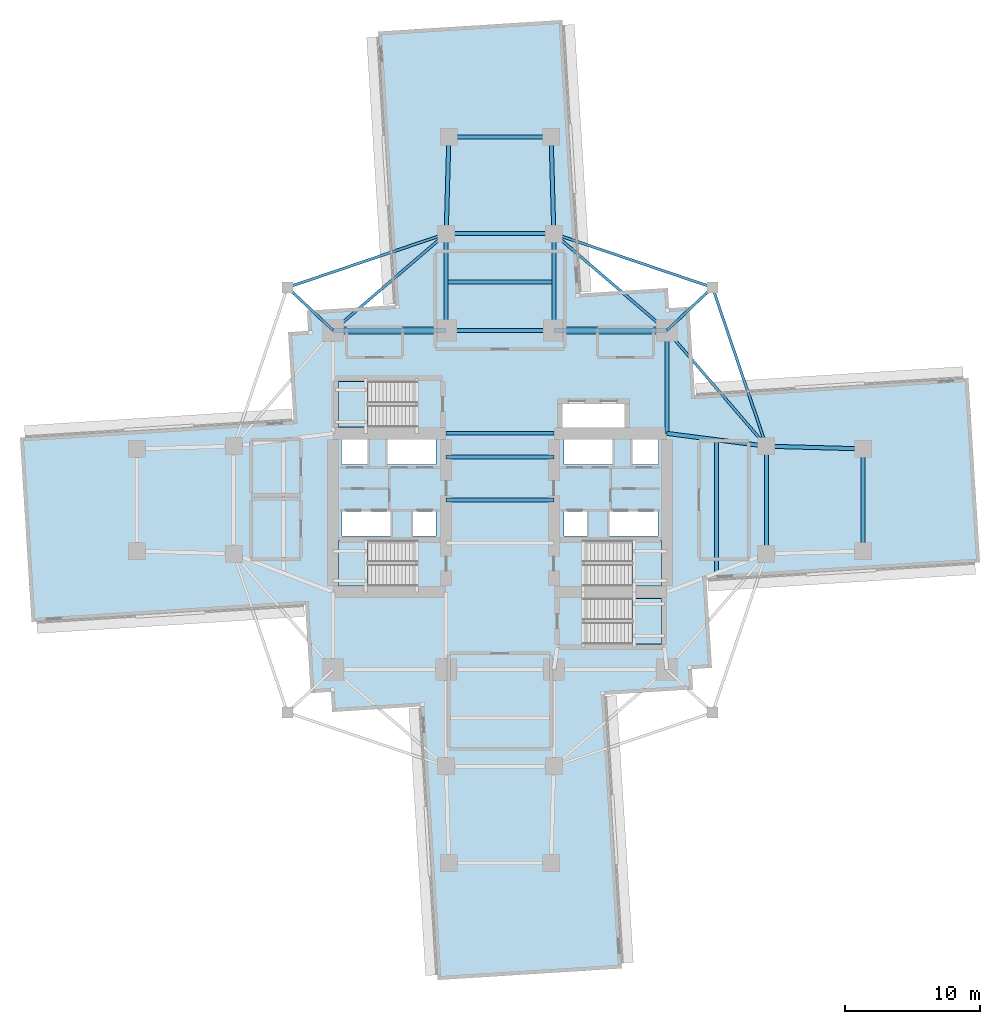
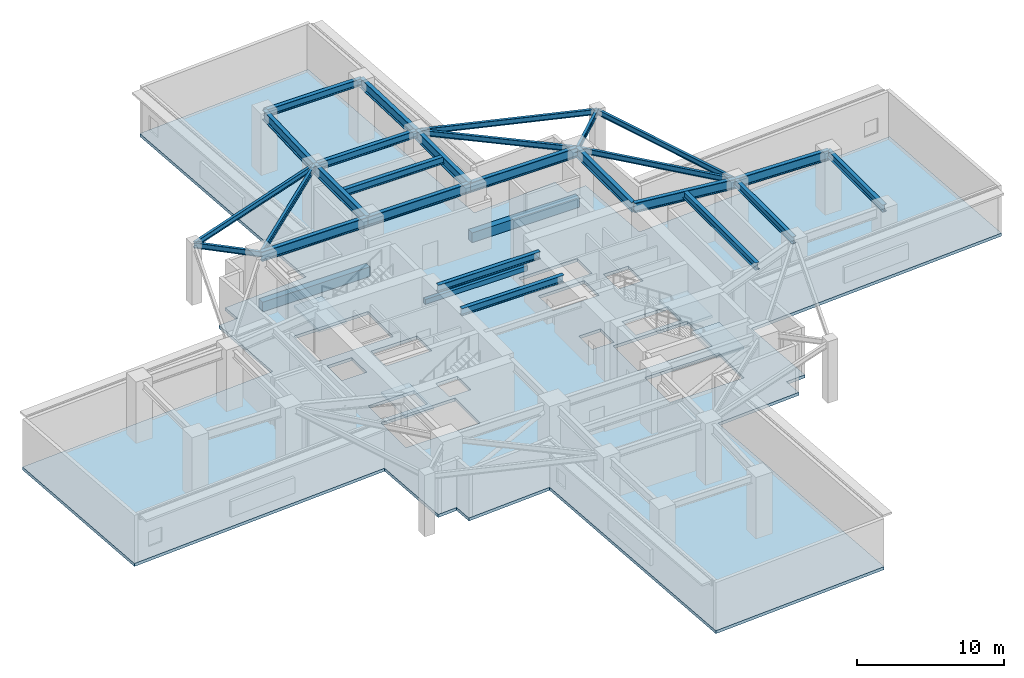
# One storey, part 2 of 11: 29 beams, 5 slabs, 4 elements without a shape of their own.
"""IFC4 building model written with IfcOpenShell, lengths in metres."""

from ifc_helpers import new_model, si_unit, direction, frame, origin, origin_2d, place, context, subcontext, project, spatial, polyline, rectangle, i_section, outline, extrude, material, layer, layer_set, material_profile, profile_set, type_object, element, aggregate, save


model = new_model("IFC4")

# Units and contexts
model_context = context("Model", 3, precision=1e-05, world=origin(), true_north=direction((0.0, 1.0)))
body_context = subcontext(model_context, "Body", "Model", "MODEL_VIEW")
ifc_project = project(units=[si_unit("LENGTHUNIT", "METRE"), si_unit("AREAUNIT", "SQUARE_METRE"), si_unit("VOLUMEUNIT", "CUBIC_METRE"), si_unit("PLANEANGLEUNIT", "RADIAN"), si_unit("MASSUNIT", "GRAM", prefix="KILO")], contexts=[model_context])

# Site, building, storey
site_placement = place(None, origin())
site = spatial("IfcSite", under=ifc_project, at=site_placement, CompositionType="ELEMENT")
building_placement = place(site_placement, origin())
building = spatial("IfcBuilding", under=site, at=building_placement, Name="Qingluan Cross Belvedere", CompositionType="ELEMENT")
storey_placement = place(building_placement, frame((0.0, 0.0, 47.10009765625)))
storey = spatial("IfcBuildingStorey", under=building, at=storey_placement, Name="L12", CompositionType="ELEMENT", Elevation=47.10009765625)

# Beams
ifc_material_1 = material(Name="Concrete C45", Category="concrete")
ifc_material_profile_1 = material_profile(ifc_material_1, rectangle(XDim=0.25, YDim=0.39990234375, at=origin_2d()), Name="RC250x400")
ifc_profile_set_1 = profile_set([ifc_material_profile_1], Name="Concrete C45")
beam_type_1 = type_object("IfcBeamType", Name="RC_Lintel_RC250x400", PredefinedType="LINTEL", material=ifc_profile_set_1)
beam_1_placement = place(storey_placement, frame((-4.0, 4.949951171875, 2.449951171875), z_axis=(1.0, 0.0, 0.0), x_axis=(0.0, 1.0, 0.0)))
element("IfcBeam", 1, at=beam_1_placement, inside=storey, type_object=beam_type_1, Name="Core coupling lintel beam L12", PredefinedType="LINTEL", context=body_context, shape_type="SweptSolid", body=[
    extrude(rectangle(XDim=0.25, YDim=0.39990234375, at=origin_2d()), origin(), (0.0, 0.0, 1.0), 8.0),
])
ifc_material_2 = material(Name="Concrete C45", Category="concrete")
ifc_material_profile_2 = material_profile(ifc_material_2, rectangle(XDim=0.5, YDim=0.800048828125, at=origin_2d()), Name="RC500x800")
ifc_profile_set_2 = profile_set([ifc_material_profile_2], Name="Concrete C45")
beam_type_2 = type_object("IfcBeamType", Name="RC_Spandrel_RC500x800", PredefinedType="SPANDREL", material=ifc_profile_set_2)
for number, where, z_axis, x_axis, name in (
    (2, (-12.39990234375, 12.60009765625, 0.39990234375), (1.0, 0.0, 0.0), (0.0, 1.0, 0.0), "Perimeter RC spandrel beam L12-NW"),
    (3, (4.0, 12.60009765625, 0.39990234375), (1.0, 0.0, 0.0), (0.0, 1.0, 0.0), "Perimeter RC spandrel beam L12-NE"),
):
    element("IfcBeam", number, at=place(storey_placement, frame(where, z_axis=z_axis, x_axis=x_axis)), inside=storey, type_object=beam_type_2, Name=name, PredefinedType="SPANDREL", context=body_context, shape_type="SweptSolid", body=[
        extrude(rectangle(XDim=0.5, YDim=0.800048828125, at=origin_2d()), origin(), (0.0, 0.0, 1.0), 8.39990234375),
    ])
ifc_material_3 = material(Name="Steel Q420GJB", Category="steel")
ifc_material_profile_3 = material_profile(ifc_material_3, i_section(OverallWidth=0.300048828125, OverallDepth=0.587890625, WebThickness=0.011962890625, FlangeThickness=0.02001953125, FilletRadius=0.02392578125, at=origin_2d()), Name="HM588x300x12x20")
ifc_profile_set_3 = profile_set([ifc_material_profile_3], Name="Steel Q420GJB")
beam_type_3 = type_object("IfcBeamType", Name="Steel_Beam_HM588x300x12x20", PredefinedType="BEAM", material=ifc_profile_set_3)
for number, where, z_axis, x_axis, name in (
    (4, (-4.0, 0.0, 4.60595703125), (1.0, 0.0, 0.0), (0.0, 1.0, 0.0), "Hall beam L12-CH2"),
    (5, (-4.0, 3.199951171875, 4.60595703125), (1.0, 0.0, 0.0), (0.0, 1.0, 0.0), "Hall beam L12-CH3"),
    (6, (19.800048828125, -4.0, 4.60595703125), (0.0, 1.0, 0.0), (-1.0, 0.0, 0.0), "Arm E tie L12"),
):
    element("IfcBeam", number, at=place(storey_placement, frame(where, z_axis=z_axis, x_axis=x_axis)), inside=storey, type_object=beam_type_3, Name=name, PredefinedType="BEAM", context=body_context, shape_type="SweptSolid", body=[
        extrude(i_section(OverallWidth=0.300048828125, OverallDepth=0.587890625, WebThickness=0.011962890625, FlangeThickness=0.02001953125, FilletRadius=0.02392578125, at=origin_2d()), origin(), (0.0, 0.0, 1.0), 8.0),
    ])
beam_2_placement = place(storey_placement, frame((16.10009765625, -5.425048828125, 4.60595703125), z_axis=(0.0, 1.0, 0.0), x_axis=(-1.0, 0.0, 0.0)))
element("IfcBeam", 7, at=beam_2_placement, inside=storey, type_object=beam_type_3, Name="Arm E beam L12", PredefinedType="BEAM", context=body_context, shape_type="SweptSolid", body=[
    extrude(i_section(OverallWidth=0.300048828125, OverallDepth=0.587890625, WebThickness=0.011962890625, FlangeThickness=0.02001953125, FilletRadius=0.02392578125, at=origin_2d()), origin(), (0.0, 0.0, 1.0), 9.900146484375),
])
beam_3_placement = place(storey_placement, frame((27.0, -3.800048828125, 4.60595703125), z_axis=(0.0, 1.0, 0.0), x_axis=(-1.0, 0.0, 0.0)))
element("IfcBeam", 8, at=beam_3_placement, inside=storey, type_object=beam_type_3, Name="Arm E tip transverse beam L12", PredefinedType="BEAM", context=body_context, shape_type="SweptSolid", body=[
    extrude(i_section(OverallWidth=0.300048828125, OverallDepth=0.587890625, WebThickness=0.011962890625, FlangeThickness=0.02001953125, FilletRadius=0.02392578125, at=origin_2d()), origin(), (0.0, 0.0, 1.0), 7.60009765625),
])
for number, where, z_axis, x_axis, name in (
    (9, (-4.0, 19.800048828125, 4.60595703125), (1.0, 0.0, 0.0), (0.0, 1.0, 0.0), "Arm N tie L12"),
    (10, (-4.0, 16.199951171875, 4.60595703125), (1.0, 0.0, 0.0), (0.0, 1.0, 0.0), "Arm N beam L12"),
):
    element("IfcBeam", number, at=place(storey_placement, frame(where, z_axis=z_axis, x_axis=x_axis)), inside=storey, type_object=beam_type_3, Name=name, PredefinedType="BEAM", context=body_context, shape_type="SweptSolid", body=[
        extrude(i_section(OverallWidth=0.300048828125, OverallDepth=0.587890625, WebThickness=0.011962890625, FlangeThickness=0.02001953125, FilletRadius=0.02392578125, at=origin_2d()), origin(), (0.0, 0.0, 1.0), 8.0),
    ])
beam_4_placement = place(storey_placement, frame((-3.800048828125, 27.0, 4.60595703125), z_axis=(1.0, 0.0, 0.0), x_axis=(0.0, 1.0, 0.0)))
element("IfcBeam", 11, at=beam_4_placement, inside=storey, type_object=beam_type_3, Name="Arm N tip transverse beam L12", PredefinedType="BEAM", context=body_context, shape_type="SweptSolid", body=[
    extrude(i_section(OverallWidth=0.300048828125, OverallDepth=0.587890625, WebThickness=0.011962890625, FlangeThickness=0.02001953125, FilletRadius=0.02392578125, at=origin_2d()), origin(), (0.0, 0.0, 1.0), 7.60009765625),
])
ifc_material_4 = material(Name="Steel Q420GJB", Category="steel")
ifc_material_profile_4 = material_profile(ifc_material_4, i_section(OverallWidth=0.199951171875, OverallDepth=0.449951171875, WebThickness=0.009033203125, FlangeThickness=0.013916015625, FilletRadius=0.01611328125, at=origin_2d()), Name="HN450x200x9x14")
ifc_profile_set_4 = profile_set([ifc_material_profile_4], Name="Steel Q420GJB")
beam_type_4 = type_object("IfcBeamType", Name="Steel_Beam_HN450x200x9x14", PredefinedType="JOIST", material=ifc_profile_set_4)
beam_5_placement = place(storey_placement, frame((12.39990234375, 12.60009765625, 4.6748046875), z_axis=(0.728219948308, 0.685343495546, 0.0), x_axis=(-0.685343495546, 0.728219948308, 0.0)))
element("IfcBeam", 12, at=beam_5_placement, inside=storey, type_object=beam_type_4, Name="Corner beam 1 L12-RNE", PredefinedType="JOIST", context=body_context, shape_type="SweptSolid", body=[
    extrude(i_section(OverallWidth=0.199951171875, OverallDepth=0.449951171875, WebThickness=0.009033203125, FlangeThickness=0.013916015625, FilletRadius=0.01611328125, at=origin_2d()), origin(), (0.0, 0.0, 1.0), 4.669189453125),
])
for number, where, z_axis, x_axis, name in (
    (13, (15.800048828125, 15.800048828125, 4.6748046875), (-0.947066283324, 0.321038089628, 0.0), (-0.321038089628, -0.947066283324, 0.0), "Corner beam 2 L12-RNE"),
    (14, (15.800048828125, 15.800048828125, 4.6748046875), (0.321038089628, -0.947066283324, 0.0), (0.947066283324, 0.321038089628, 0.0), "Corner beam 3 L12-RNE"),
):
    element("IfcBeam", number, at=place(storey_placement, frame(where, z_axis=z_axis, x_axis=x_axis)), inside=storey, type_object=beam_type_4, Name=name, PredefinedType="JOIST", context=body_context, shape_type="SweptSolid", body=[
        extrude(i_section(OverallWidth=0.199951171875, OverallDepth=0.449951171875, WebThickness=0.009033203125, FlangeThickness=0.013916015625, FilletRadius=0.01611328125, at=origin_2d()), origin(), (0.0, 0.0, 1.0), 12.45947265625),
    ])
beam_6_placement = place(storey_placement, frame((12.39990234375, 12.60009765625, 4.6748046875), z_axis=(0.652245077546, -0.75800815221, 0.0), x_axis=(0.75800815221, 0.652245077546, 0.0)))
element("IfcBeam", 15, at=beam_6_placement, inside=storey, type_object=beam_type_4, Name="Corner beam 4 L12-RNE", PredefinedType="JOIST", context=body_context, shape_type="SweptSolid", body=[
    extrude(i_section(OverallWidth=0.199951171875, OverallDepth=0.449951171875, WebThickness=0.009033203125, FlangeThickness=0.013916015625, FilletRadius=0.01611328125, at=origin_2d()), origin(), (0.0, 0.0, 1.0), 11.345703125),
])
beam_7_placement = place(storey_placement, frame((12.39990234375, 12.60009765625, 4.6748046875), z_axis=(-0.759255044656, 0.650793190779, 0.0), x_axis=(-0.650793190779, -0.759255044656, 0.0)))
element("IfcBeam", 16, at=beam_7_placement, inside=storey, type_object=beam_type_4, Name="Corner beam 5 L12-RNE", PredefinedType="JOIST", context=body_context, shape_type="SweptSolid", body=[
    extrude(i_section(OverallWidth=0.199951171875, OverallDepth=0.449951171875, WebThickness=0.009033203125, FlangeThickness=0.013916015625, FilletRadius=0.01611328125, at=origin_2d()), origin(), (0.0, 0.0, 1.0), 11.063232421875),
])
beam_8_placement = place(storey_placement, frame((-12.39990234375, 12.60009765625, 4.6748046875), z_axis=(-0.728219948308, 0.685343495546, 0.0), x_axis=(-0.685343495546, -0.728219948308, 0.0)))
element("IfcBeam", 17, at=beam_8_placement, inside=storey, type_object=beam_type_4, Name="Corner beam 1 L12-RNW", PredefinedType="JOIST", context=body_context, shape_type="SweptSolid", body=[
    extrude(i_section(OverallWidth=0.199951171875, OverallDepth=0.449951171875, WebThickness=0.009033203125, FlangeThickness=0.013916015625, FilletRadius=0.01611328125, at=origin_2d()), origin(), (0.0, 0.0, 1.0), 4.669189453125),
])
beam_9_placement = place(storey_placement, frame((-15.800048828125, 15.800048828125, 4.6748046875), z_axis=(0.947066283324, 0.321038089628, 0.0), x_axis=(-0.321038089628, 0.947066283324, 0.0)))
element("IfcBeam", 18, at=beam_9_placement, inside=storey, type_object=beam_type_4, Name="Corner beam 2 L12-RNW", PredefinedType="JOIST", context=body_context, shape_type="SweptSolid", body=[
    extrude(i_section(OverallWidth=0.199951171875, OverallDepth=0.449951171875, WebThickness=0.009033203125, FlangeThickness=0.013916015625, FilletRadius=0.01611328125, at=origin_2d()), origin(), (0.0, 0.0, 1.0), 12.45947265625),
])
beam_10_placement = place(storey_placement, frame((-12.39990234375, 12.60009765625, 4.6748046875), z_axis=(0.759255044656, 0.650793190779, 0.0), x_axis=(-0.650793190779, 0.759255044656, 0.0)))
element("IfcBeam", 19, at=beam_10_placement, inside=storey, type_object=beam_type_4, Name="Corner beam 5 L12-RNW", PredefinedType="JOIST", context=body_context, shape_type="SweptSolid", body=[
    extrude(i_section(OverallWidth=0.199951171875, OverallDepth=0.449951171875, WebThickness=0.009033203125, FlangeThickness=0.013916015625, FilletRadius=0.01611328125, at=origin_2d()), origin(), (0.0, 0.0, 1.0), 11.063232421875),
])
ifc_material_5 = material(Name="Steel Q420GJB", Category="steel")
ifc_material_profile_5 = material_profile(ifc_material_5, i_section(OverallWidth=0.305908203125, OverallDepth=0.81396484375, WebThickness=0.02099609375, FlangeThickness=0.0400390625, FilletRadius=0.030029296875, at=origin_2d()), Name="HEM800")
ifc_profile_set_5 = profile_set([ifc_material_profile_5], Name="Steel Q420GJB")
beam_type_5 = type_object("IfcBeamType", Name="Steel_Girder_HEM800", PredefinedType="USERDEFINED", material=ifc_profile_set_5)
beam_11_placement = place(storey_placement, frame((-12.39990234375, 12.60009765625, 4.492919921875), z_axis=(1.0, 0.0, 0.0), x_axis=(0.0, 1.0, 0.0)))
element("IfcBeam", 20, at=beam_11_placement, inside=storey, type_object=beam_type_5, Name="Hub girder L12-HG-N1", ObjectType="GIRDER", PredefinedType="USERDEFINED", context=body_context, shape_type="SweptSolid", body=[
    extrude(i_section(OverallWidth=0.305908203125, OverallDepth=0.81396484375, WebThickness=0.02099609375, FlangeThickness=0.0400390625, FilletRadius=0.030029296875, at=origin_2d()), origin(), (0.0, 0.0, 1.0), 8.39990234375),
])
beam_12_placement = place(storey_placement, frame((-4.0, 12.60009765625, 4.492919921875), z_axis=(1.0, 0.0, 0.0), x_axis=(0.0, 1.0, 0.0)))
element("IfcBeam", 21, at=beam_12_placement, inside=storey, type_object=beam_type_5, Name="Hub girder L12-HG-N2", ObjectType="GIRDER", PredefinedType="USERDEFINED", context=body_context, shape_type="SweptSolid", body=[
    extrude(i_section(OverallWidth=0.305908203125, OverallDepth=0.81396484375, WebThickness=0.02099609375, FlangeThickness=0.0400390625, FilletRadius=0.030029296875, at=origin_2d()), origin(), (0.0, 0.0, 1.0), 8.0),
])
beam_13_placement = place(storey_placement, frame((4.0, 12.60009765625, 4.492919921875), z_axis=(1.0, 0.0, 0.0), x_axis=(0.0, 1.0, 0.0)))
element("IfcBeam", 22, at=beam_13_placement, inside=storey, type_object=beam_type_5, Name="Hub girder L12-HG-N3", ObjectType="GIRDER", PredefinedType="USERDEFINED", context=body_context, shape_type="SweptSolid", body=[
    extrude(i_section(OverallWidth=0.305908203125, OverallDepth=0.81396484375, WebThickness=0.02099609375, FlangeThickness=0.0400390625, FilletRadius=0.030029296875, at=origin_2d()), origin(), (0.0, 0.0, 1.0), 8.39990234375),
])
beam_14_placement = place(storey_placement, frame((12.39990234375, 4.949951171875, 4.492919921875), z_axis=(0.0, 1.0, 0.0), x_axis=(-1.0, 0.0, 0.0)))
element("IfcBeam", 23, at=beam_14_placement, inside=storey, type_object=beam_type_5, Name="Hub girder L12-HG-E2", ObjectType="GIRDER", PredefinedType="USERDEFINED", context=body_context, shape_type="SweptSolid", body=[
    extrude(i_section(OverallWidth=0.305908203125, OverallDepth=0.81396484375, WebThickness=0.02099609375, FlangeThickness=0.0400390625, FilletRadius=0.030029296875, at=origin_2d()), origin(), (0.0, 0.0, 1.0), 7.650146484375),
])
beam_15_placement = place(storey_placement, frame((12.39990234375, 4.949951171875, 4.492919921875), z_axis=(0.991861120628, -0.12732445714, 0.0), x_axis=(0.12732445714, 0.991861120628, 0.0)))
element("IfcBeam", 24, at=beam_15_placement, inside=storey, type_object=beam_type_5, Name="Arm E radial girder B L12", ObjectType="GIRDER", PredefinedType="USERDEFINED", context=body_context, shape_type="SweptSolid", body=[
    extrude(i_section(OverallWidth=0.305908203125, OverallDepth=0.81396484375, WebThickness=0.02099609375, FlangeThickness=0.0400390625, FilletRadius=0.030029296875, at=origin_2d()), origin(), (0.0, 0.0, 1.0), 7.4609375),
])
beam_16_placement = place(storey_placement, frame((19.800048828125, 4.0, 4.492919921875), z_axis=(0.999614603568, -0.027760481514, 0.0), x_axis=(0.027760481514, 0.999614603568, 0.0)))
element("IfcBeam", 25, at=beam_16_placement, inside=storey, type_object=beam_type_5, Name="Arm E outer radial girder B L12", ObjectType="GIRDER", PredefinedType="USERDEFINED", context=body_context, shape_type="SweptSolid", body=[
    extrude(i_section(OverallWidth=0.305908203125, OverallDepth=0.81396484375, WebThickness=0.02099609375, FlangeThickness=0.0400390625, FilletRadius=0.030029296875, at=origin_2d()), origin(), (0.0, 0.0, 1.0), 7.20263671875),
])
for number, where, z_axis, x_axis, name in (
    (26, (-4.0, 12.60009765625, 4.492919921875), (0.0, 1.0, 0.0), (-1.0, 0.0, 0.0), "Arm N radial girder A L12"),
    (27, (4.0, 12.60009765625, 4.492919921875), (0.0, 1.0, 0.0), (-1.0, 0.0, 0.0), "Arm N radial girder B L12"),
):
    element("IfcBeam", number, at=place(storey_placement, frame(where, z_axis=z_axis, x_axis=x_axis)), inside=storey, type_object=beam_type_5, Name=name, ObjectType="GIRDER", PredefinedType="USERDEFINED", context=body_context, shape_type="SweptSolid", body=[
        extrude(i_section(OverallWidth=0.305908203125, OverallDepth=0.81396484375, WebThickness=0.02099609375, FlangeThickness=0.0400390625, FilletRadius=0.030029296875, at=origin_2d()), origin(), (0.0, 0.0, 1.0), 7.199951171875),
    ])
for number, where, z_axis, x_axis, name in (
    (28, (-4.0, 19.800048828125, 4.492919921875), (0.027760481514, 0.999614603568, 0.0), (-0.999614603568, 0.027760481514, 0.0), "Arm N outer radial girder A L12"),
    (29, (4.0, 19.800048828125, 4.492919921875), (-0.027760481514, 0.999614603568, 0.0), (-0.999614603568, -0.027760481514, 0.0), "Arm N outer radial girder B L12"),
):
    element("IfcBeam", number, at=place(storey_placement, frame(where, z_axis=z_axis, x_axis=x_axis)), inside=storey, type_object=beam_type_5, Name=name, ObjectType="GIRDER", PredefinedType="USERDEFINED", context=body_context, shape_type="SweptSolid", body=[
        extrude(i_section(OverallWidth=0.305908203125, OverallDepth=0.81396484375, WebThickness=0.02099609375, FlangeThickness=0.0400390625, FilletRadius=0.030029296875, at=origin_2d()), origin(), (0.0, 0.0, 1.0), 7.20263671875),
    ])

# Slab
ifc_material_6 = material(Name="Concrete C40", Category="concrete")
ifc_layer_1 = layer(ifc_material_6, 0.25, Name="FloorSlab_250")
ifc_layer_set_1 = layer_set([ifc_layer_1], Name="Concrete C40")
slab_type_1 = type_object("IfcSlabType", Name="FloorSlab_250", PredefinedType="FLOOR", material=ifc_layer_set_1)
slab_1_placement = place(storey_placement, frame((0.0, 0.0, -0.25)))
element("IfcSlab", 30, at=slab_1_placement, inside=storey, type_object=slab_type_1, Name="Structural floor slab L12", PredefinedType="FLOOR", context=body_context, shape_type="SweptSolid", body=[
    extrude(outline(polyline([(9.064208984375, -34.819580078125), (7.78466796875, -14.479736328125), (14.3515625, -14.066650390625), (14.25732421875, -12.569580078125), (15.75439453125, -12.475341796875), (15.34130859375, -5.908447265625), (35.680908203125, -4.628662109375), (34.819580078125, 9.064208984375), (14.479736328125, 7.78466796875), (14.066650390625, 14.3515625), (12.569580078125, 14.25732421875), (12.475341796875, 15.75439453125), (5.908447265625, 15.34130859375), (4.628662109375, 35.680908203125), (-9.064208984375, 34.819580078125), (-7.78466796875, 14.479736328125), (-14.3515625, 14.066650390625), (-14.25732421875, 12.569580078125), (-15.75439453125, 12.475341796875), (-15.34130859375, 5.908447265625), (-35.680908203125, 4.628662109375), (-34.819580078125, -9.064208984375), (-14.479736328125, -7.78466796875), (-14.066650390625, -14.3515625), (-12.569580078125, -14.25732421875), (-12.475341796875, -15.75439453125), (-5.908447265625, -15.34130859375), (-4.628662109375, -35.680908203125), (9.064208984375, -34.819580078125)]), holes=[polyline([(-12.0, -3.0), (-6.179931640625, -3.0), (-6.179931640625, -6.39990234375), (-12.0, -6.39990234375), (-12.0, -3.0)]), polyline([(6.179931640625, -3.0), (12.0, -3.0), (12.0, -6.39990234375), (6.179931640625, -6.39990234375), (6.179931640625, -3.0)]), polyline([(-12.0, 8.820068359375), (-6.179931640625, 8.820068359375), (-6.179931640625, 5.419921875), (-12.0, 5.419921875), (-12.0, 8.820068359375)]), polyline([(6.179931640625, -7.320068359375), (12.0, -7.320068359375), (12.0, -10.719970703125), (6.179931640625, -10.719970703125), (6.179931640625, -7.320068359375)]), polyline([(-11.800048828125, 4.64990234375), (-9.85009765625, 4.64990234375), (-9.85009765625, 2.64990234375), (-11.800048828125, 2.64990234375), (-11.800048828125, 4.64990234375)]), polyline([(-8.35009765625, 4.64990234375), (-4.75, 4.64990234375), (-4.75, 2.64990234375), (-8.35009765625, 2.64990234375), (-8.35009765625, 4.64990234375)]), polyline([(4.75, 4.64990234375), (8.35009765625, 4.64990234375), (8.35009765625, 2.64990234375), (4.75, 2.64990234375), (4.75, 4.64990234375)]), polyline([(9.85009765625, 4.64990234375), (11.800048828125, 4.64990234375), (11.800048828125, 2.64990234375), (9.85009765625, 2.64990234375), (9.85009765625, 4.64990234375)]), polyline([(-11.75, -0.840087890625), (-8.14990234375, -0.840087890625), (-8.14990234375, -2.659912109375), (-11.75, -2.659912109375), (-11.75, -0.840087890625)]), polyline([(-6.449951171875, -0.840087890625), (-4.75, -0.840087890625), (-4.75, -2.659912109375), (-6.449951171875, -2.659912109375), (-6.449951171875, -0.840087890625)]), polyline([(4.75, -0.840087890625), (6.449951171875, -0.840087890625), (6.449951171875, -2.659912109375), (4.75, -2.659912109375), (4.75, -0.840087890625)]), polyline([(8.14990234375, -0.840087890625), (11.75, -0.840087890625), (11.75, -2.659912109375), (8.14990234375, -2.659912109375), (8.14990234375, -0.840087890625)]), polyline([(4.64990234375, 7.14990234375), (9.25, 7.14990234375), (9.25, 5.14990234375), (4.64990234375, 5.14990234375), (4.64990234375, 7.14990234375)])]), origin(), (0.0, 0.0, 1.0), 0.25),
])

# Stair, slab
ifc_material_7 = material(Name="Concrete C40", Category="concrete")
stair_type = type_object("IfcStairType", Name="CoreDoglegStair_1620", PredefinedType="HALF_TURN_STAIR", material=ifc_material_7)
stair_1_placement = place(storey_placement, origin())
stair_1 = element("IfcStair", 31, at=stair_1_placement, inside=storey, type_object=stair_type, Name="L12 ST1", PredefinedType="HALF_TURN_STAIR")
ifc_material_8 = material(Name="Concrete C40", Category="concrete")
ifc_layer_2 = layer(ifc_material_8, 0.179931640625, Name="StairLandingSlab_180")
ifc_layer_set_2 = layer_set([ifc_layer_2], Name="Concrete C40")
slab_type_2 = type_object("IfcSlabType", Name="StairLandingSlab_180", PredefinedType="LANDING", material=ifc_layer_set_2)
slab_2_placement = place(storey_placement, frame((0.0, 0.0, 2.349853515625)))
slab_2 = element("IfcSlab", 32, at=slab_2_placement, type_object=slab_type_2, Name="ST1 landing 1", PredefinedType="LANDING", context=body_context, shape_type="SweptSolid", body=[
    extrude(outline(polyline([(-9.820068359375, -3.0), (-12.0, -3.0), (-12.0, -6.39990234375), (-9.820068359375, -6.39990234375), (-9.820068359375, -3.0)])), origin(), (0.0, 0.0, 1.0), 0.199951171875),
])
aggregate(stair_1, [slab_2])

stair_2_placement = place(storey_placement, origin())
stair_2 = element("IfcStair", 33, at=stair_2_placement, inside=storey, type_object=stair_type, Name="L12 ST2", PredefinedType="HALF_TURN_STAIR")
slab_3_placement = place(storey_placement, frame((0.0, 0.0, 2.349853515625)))
slab_3 = element("IfcSlab", 34, at=slab_3_placement, type_object=slab_type_2, Name="ST2 landing 1", PredefinedType="LANDING", context=body_context, shape_type="SweptSolid", body=[
    extrude(outline(polyline([(9.820068359375, -6.39990234375), (12.0, -6.39990234375), (12.0, -3.0), (9.820068359375, -3.0), (9.820068359375, -6.39990234375)])), origin(), (0.0, 0.0, 1.0), 0.199951171875),
])
aggregate(stair_2, [slab_3])

stair_3_placement = place(storey_placement, origin())
stair_3 = element("IfcStair", 35, at=stair_3_placement, inside=storey, type_object=stair_type, Name="L12 ST3", PredefinedType="HALF_TURN_STAIR")
slab_4_placement = place(storey_placement, frame((0.0, 0.0, 2.349853515625)))
slab_4 = element("IfcSlab", 36, at=slab_4_placement, type_object=slab_type_2, Name="ST3 landing 1", PredefinedType="LANDING", context=body_context, shape_type="SweptSolid", body=[
    extrude(outline(polyline([(-9.820068359375, 8.820068359375), (-12.0, 8.820068359375), (-12.0, 5.419921875), (-9.820068359375, 5.419921875), (-9.820068359375, 8.820068359375)])), origin(), (0.0, 0.0, 1.0), 0.199951171875),
])
aggregate(stair_3, [slab_4])

stair_4_placement = place(storey_placement, origin())
stair_4 = element("IfcStair", 37, at=stair_4_placement, inside=storey, type_object=stair_type, Name="L12 ST4", PredefinedType="HALF_TURN_STAIR")
slab_5_placement = place(storey_placement, frame((0.0, 0.0, 2.349853515625)))
slab_5 = element("IfcSlab", 38, at=slab_5_placement, type_object=slab_type_2, Name="ST4 landing 1", PredefinedType="LANDING", context=body_context, shape_type="SweptSolid", body=[
    extrude(outline(polyline([(9.820068359375, -10.719970703125), (12.0, -10.719970703125), (12.0, -7.320068359375), (9.820068359375, -7.320068359375), (9.820068359375, -10.719970703125)])), origin(), (0.0, 0.0, 1.0), 0.199951171875),
])
aggregate(stair_4, [slab_5])

save(model, "model.ifc")
